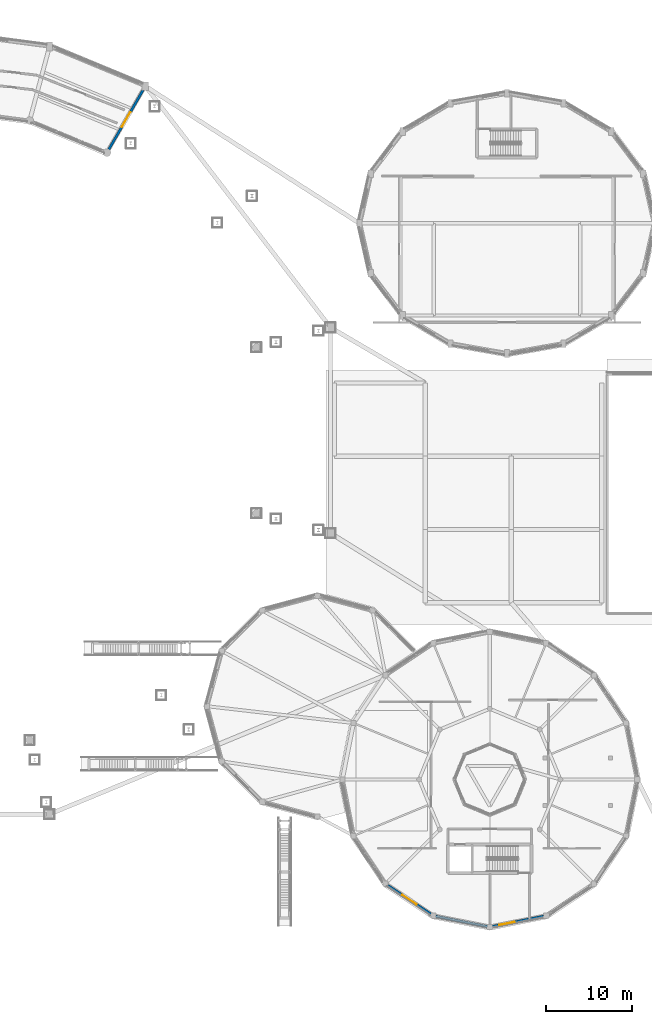
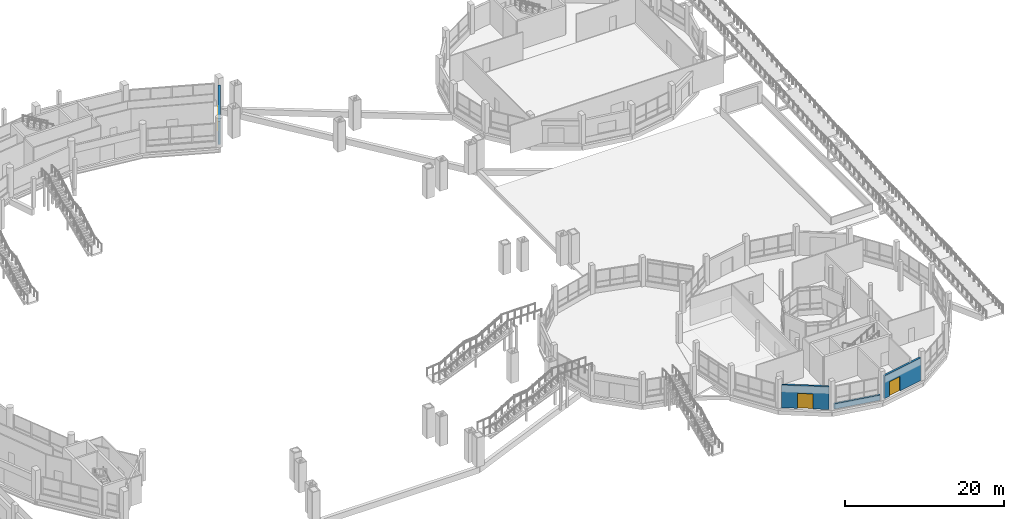
# One storey, part 111 of 129: 4 walls, 3 doors, 3 openings.
"""IFC4 building model written with IfcOpenShell, lengths in metres."""

from ifc_helpers import new_model, si_unit, direction, frame, frame_2d, origin, place, context, subcontext, project, spatial, rectangle, extrude, material, layer, layer_set, type_object, element, fill, save


model = new_model("IFC4")

# Units and contexts
model_context = context("Model", 3, precision=1e-05, world=origin(), true_north=direction((0.0, 1.0)))
body_context = subcontext(model_context, "Body", "Model", "MODEL_VIEW")
ifc_project = project(units=[si_unit("LENGTHUNIT", "METRE"), si_unit("AREAUNIT", "SQUARE_METRE"), si_unit("VOLUMEUNIT", "CUBIC_METRE"), si_unit("PLANEANGLEUNIT", "RADIAN"), si_unit("MASSUNIT", "GRAM", prefix="KILO")], contexts=[model_context])

# Site, building, storey
site_placement = place(None, origin())
site = spatial("IfcSite", under=ifc_project, at=site_placement, CompositionType="ELEMENT")
building_placement = place(site_placement, origin())
building = spatial("IfcBuilding", under=site, at=building_placement, Name="Vespera Passage Community Centre", CompositionType="ELEMENT")
storey_placement = place(building_placement, origin())
storey = spatial("IfcBuildingStorey", under=building, at=storey_placement, Name="L00", CompositionType="ELEMENT", Elevation=0.0)

# Wall, opening, door
ifc_material_1 = material(Name="Precast concrete f'c 40 MPa", Category="concrete")
ifc_layer = layer(ifc_material_1, 0.280029296875)
ifc_layer_set = layer_set([ifc_layer], Name="Precast concrete f'c 40 MPa")
wall_type = type_object("IfcWallType", Name="WT-EXT-280E", PredefinedType="STANDARD", material=ifc_layer_set)
wall_1_placement = place(storey_placement, frame((100.773681640625, 104.945556640625, 0.0), z_axis=(0.0, 0.0, 1.0), x_axis=(-0.499969958057, -0.866042747813, 0.0)))
wall_1 = element("IfcWall", 1, at=wall_1_placement, inside=storey, type_object=wall_type, Name="V4 L00 Radial End Facade Wall START", PredefinedType="STANDARD", context=body_context, shape_type="SweptSolid", body=[
    extrude(rectangle(XDim=8.0263671875, YDim=0.280029296875, at=frame_2d((4.01318359375, 0.0))), origin(), (0.0, 0.0, 1.0), 3.4951171875),
])
opening_1_placement = place(wall_1_placement, frame((2.922607421875, 0.0, 0.0)))
opening_1 = element("IfcOpeningElement", 2, at=opening_1_placement, cuts=wall_1, Name="Opening DT-E06", PredefinedType="OPENING", context=body_context, shape_type="SweptSolid", body=[
    extrude(rectangle(XDim=2.0, YDim=2.300048828125, at=frame_2d((1.0, 1.14990234375))), frame((0.0, 0.150146484375, 0.0), z_axis=(0.0, -1.0, 0.0), x_axis=(1.0, 0.0, 0.0)), (0.0, 0.0, 1.0), 0.300048828125),
])
ifc_material_2 = material(Name="Anodized aluminium 6063-T6", Category="aluminium")
door_type_1 = type_object("IfcDoorType", Name="DT-E06", OperationType="NOTDEFINED", PredefinedType="DOOR", material=ifc_material_2)
door_1_placement = place(opening_1_placement, origin())
door_1 = element("IfcDoor", 3, at=door_1_placement, inside=storey, type_object=door_type_1, Name="Public Passage Portal Exit Door START", OperationType="SINGLE_SWING_RIGHT", OverallHeight=2.300048828125, OverallWidth=2.0, PredefinedType="DOOR", context=body_context, shape_type="SweptSolid", body=[
    extrude(rectangle(XDim=2.0, YDim=2.300048828125, at=frame_2d((1.0, 1.14990234375))), frame((0.0, 0.02490234375, 0.0), z_axis=(0.0, -1.0, 0.0), x_axis=(1.0, 0.0, 0.0)), (0.0, 0.0, 1.0), 0.050048828125),
])
fill(opening_1, door_1)

wall_2_placement = place(storey_placement, frame((134.177001953125, 9.38818359375, 0.0), z_axis=(0.0, 0.0, 1.0), x_axis=(-0.831467707354, 0.555573083966, 0.0)))
wall_2 = element("IfcWall", 4, at=wall_2_placement, inside=storey, type_object=wall_type, Name="V3 L00 Facade Wall 11", PredefinedType="STANDARD", context=body_context, shape_type="SweptSolid", body=[
    extrude(rectangle(XDim=6.00048828125, YDim=0.280029296875, at=frame_2d((3.000244140625, 0.0))), origin(), (0.0, 0.0, 1.0), 3.4951171875),
])
opening_2_placement = place(wall_2_placement, frame((2.000244140625, 0.0, 0.0)))
opening_2 = element("IfcOpeningElement", 5, at=opening_2_placement, cuts=wall_2, Name="Opening DT-E06", PredefinedType="OPENING", context=body_context, shape_type="SweptSolid", body=[
    extrude(rectangle(XDim=2.0, YDim=2.300048828125, at=frame_2d((1.0, 1.14990234375))), frame((0.0, 0.150146484375, 0.0), z_axis=(0.0, -1.0, 0.0), x_axis=(1.0, 0.0, 0.0)), (0.0, 0.0, 1.0), 0.300048828125),
])
door_2_placement = place(opening_2_placement, origin())
door_2 = element("IfcDoor", 6, at=door_2_placement, inside=storey, type_object=door_type_1, Name="Dining Drum Exit Door 11", OperationType="SINGLE_SWING_LEFT", OverallHeight=2.300048828125, OverallWidth=2.0, PredefinedType="DOOR", context=body_context, shape_type="SweptSolid", body=[
    extrude(rectangle(XDim=2.0, YDim=2.300048828125, at=frame_2d((1.0, 1.14990234375))), frame((0.0, 0.02490234375, 0.0), z_axis=(0.0, -1.0, 0.0), x_axis=(1.0, 0.0, 0.0)), (0.0, 0.0, 1.0), 0.050048828125),
])
fill(opening_2, door_2)

# Wall
wall_3_placement = place(storey_placement, frame((140.724609375, 7.954833984375, 0.0), z_axis=(0.0, 0.0, 1.0), x_axis=(-0.98078300119, 0.195101780047, 0.0)))
element("IfcWall", 7, at=wall_3_placement, inside=storey, type_object=wall_type, Name="V3 L00 Spandrel 12", PredefinedType="STANDARD", context=body_context, shape_type="SweptSolid", body=[
    extrude(rectangle(XDim=6.1103515625, YDim=0.280029296875, at=frame_2d((3.05517578125, 0.0))), origin(), (0.0, 0.0, 1.0), 0.800048828125),
])

# Wall, opening, door
wall_4_placement = place(storey_placement, frame((147.268310546875, 9.14697265625, 0.0), z_axis=(0.0, 0.0, 1.0), x_axis=(-0.98078300119, -0.195101780047, 0.0)))
wall_4 = element("IfcWall", 8, at=wall_4_placement, inside=storey, type_object=wall_type, Name="V3 L00 Facade Wall 13", PredefinedType="STANDARD", context=body_context, shape_type="SweptSolid", body=[
    extrude(rectangle(XDim=6.1103515625, YDim=0.280029296875, at=frame_2d((3.05517578125, 0.0))), origin(), (0.0, 0.0, 1.0), 3.4951171875),
])
opening_3_placement = place(wall_4_placement, frame((3.46044921875, 0.0, 0.0)))
opening_3 = element("IfcOpeningElement", 9, at=opening_3_placement, cuts=wall_4, Name="Opening DT-E05", PredefinedType="OPENING", context=body_context, shape_type="SweptSolid", body=[
    extrude(rectangle(XDim=1.800048828125, YDim=2.25, at=frame_2d((0.89990234375, 1.125))), frame((0.0, 0.150146484375, 0.0), z_axis=(0.0, -1.0, 0.0), x_axis=(1.0, 0.0, 0.0)), (0.0, 0.0, 1.0), 0.300048828125),
])
ifc_material_3 = material(Name="Anodized aluminium 6063-T6", Category="aluminium")
door_type_2 = type_object("IfcDoorType", Name="DT-E05", OperationType="NOTDEFINED", PredefinedType="DOOR", material=ifc_material_3)
door_3_placement = place(opening_3_placement, origin())
door_3 = element("IfcDoor", 10, at=door_3_placement, inside=storey, type_object=door_type_2, Name="Exit Stair ST08 Exterior Discharge Door", OperationType="SINGLE_SWING_RIGHT", OverallHeight=2.25, OverallWidth=1.800048828125, PredefinedType="DOOR", context=body_context, shape_type="SweptSolid", body=[
    extrude(rectangle(XDim=1.800048828125, YDim=2.25, at=frame_2d((0.89990234375, 1.125))), frame((0.0, 0.02490234375, 0.0), z_axis=(0.0, -1.0, 0.0), x_axis=(1.0, 0.0, 0.0)), (0.0, 0.0, 1.0), 0.050048828125),
])
fill(opening_3, door_3)

save(model, "model.ifc")
